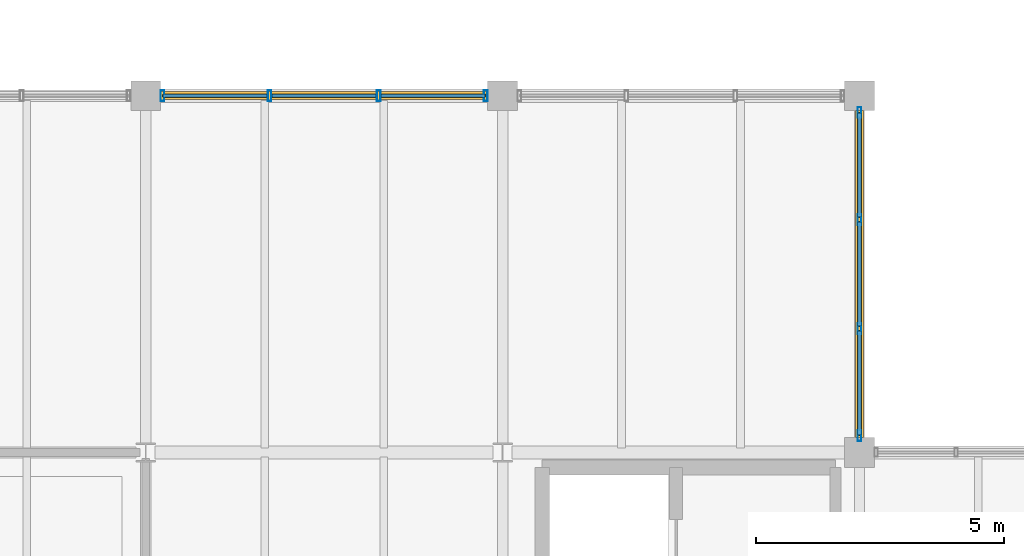
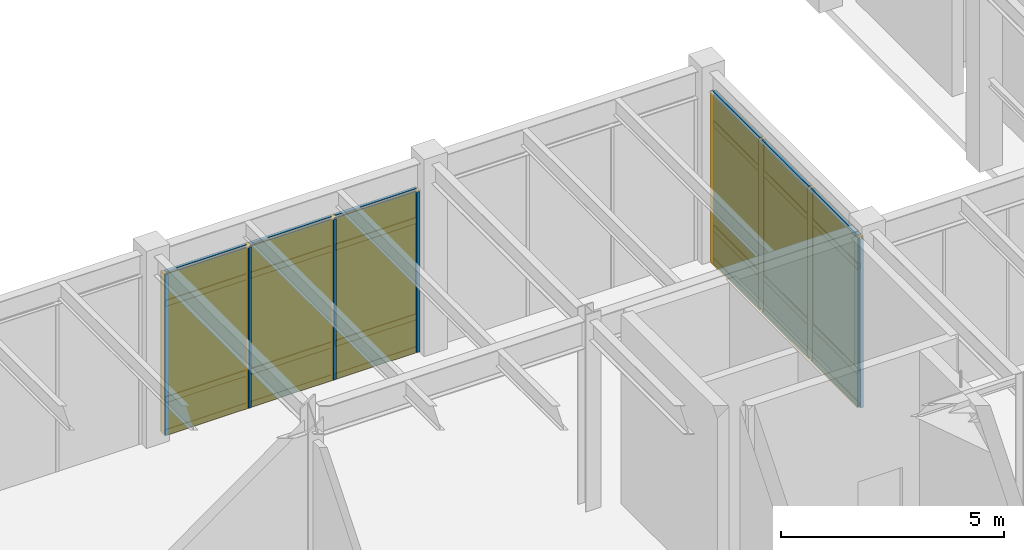
# One storey, part 61 of 97: 32 members, 12 plates, 2 curtain walls.
"""IFC4 building model written with IfcOpenShell, lengths in metres."""

from ifc_helpers import new_model, si_unit, direction, frame, origin, origin_2d, place, context, subcontext, project, spatial, rectangle, hollow_rectangle, extrude, material, layer, layer_set, material_profile, profile_set, type_object, element, aggregate, save


model = new_model("IFC4")

# Units and contexts
model_context = context("Model", 3, precision=1e-05, world=origin(), true_north=direction((0.0, 1.0)))
body_context = subcontext(model_context, "Body", "Model", "MODEL_VIEW")
ifc_project = project(units=[si_unit("LENGTHUNIT", "METRE"), si_unit("AREAUNIT", "SQUARE_METRE"), si_unit("VOLUMEUNIT", "CUBIC_METRE"), si_unit("PLANEANGLEUNIT", "RADIAN"), si_unit("MASSUNIT", "GRAM", prefix="KILO")], contexts=[model_context])

# Member
ifc_material_1 = material(Name="Anodized Aluminium 6063-T6", Category="aluminium")
ifc_material_profile_1 = material_profile(ifc_material_1, hollow_rectangle(XDim=0.074951171875, YDim=0.219970703125, WallThickness=0.0048828125, at=origin_2d()), Name="ALU 75x220x5")
ifc_profile_set_1 = profile_set([ifc_material_profile_1], Name="Anodized Aluminium 6063-T6")
member_type_1 = type_object("IfcMemberType", Name="CWM-75X180", PredefinedType="MULLION", material=ifc_profile_set_1)
site_placement = place(None, origin())
building_placement = place(site_placement, origin())
storey_placement = place(building_placement, origin())
member_1_placement = place(storey_placement, frame((101.139892578125, 57.60009765625, 0.02001953125), z_axis=(0.0, 0.0, 1.0), x_axis=(1.0, 0.0, 0.0)))
member_1 = element("IfcMember", 1, at=member_1_placement, type_object=member_type_1, Name="Curtain wall mullion CW-L01-14-07-N-00", PredefinedType="MULLION", context=body_context, shape_type="SweptSolid", body=[
    extrude(hollow_rectangle(XDim=0.074951171875, YDim=0.219970703125, WallThickness=0.0048828125, at=origin_2d()), origin(), (0.0, 0.0, 1.0), 4.39794921875),
])

member_2_placement = place(storey_placement, frame((103.300048828125, 57.60009765625, 0.02001953125), z_axis=(0.0, 0.0, 1.0), x_axis=(1.0, 0.0, 0.0)))
member_2 = element("IfcMember", 2, at=member_2_placement, type_object=member_type_1, Name="Curtain wall mullion CW-L01-14-07-N-01", PredefinedType="MULLION", context=body_context, shape_type="SweptSolid", body=[
    extrude(hollow_rectangle(XDim=0.074951171875, YDim=0.219970703125, WallThickness=0.0048828125, at=origin_2d()), origin(), (0.0, 0.0, 1.0), 4.39794921875),
])

member_3_placement = place(storey_placement, frame((105.5, 57.60009765625, 0.02001953125), z_axis=(0.0, 0.0, 1.0), x_axis=(1.0, 0.0, 0.0)))
member_3 = element("IfcMember", 3, at=member_3_placement, type_object=member_type_1, Name="Curtain wall mullion CW-L01-14-07-N-02", PredefinedType="MULLION", context=body_context, shape_type="SweptSolid", body=[
    extrude(hollow_rectangle(XDim=0.074951171875, YDim=0.219970703125, WallThickness=0.0048828125, at=origin_2d()), origin(), (0.0, 0.0, 1.0), 4.39794921875),
])

member_4_placement = place(storey_placement, frame((107.659912109375, 57.60009765625, 0.02001953125), z_axis=(0.0, 0.0, 1.0), x_axis=(1.0, 0.0, 0.0)))
member_4 = element("IfcMember", 4, at=member_4_placement, type_object=member_type_1, Name="Curtain wall mullion CW-L01-14-07-N-03", PredefinedType="MULLION", context=body_context, shape_type="SweptSolid", body=[
    extrude(hollow_rectangle(XDim=0.074951171875, YDim=0.219970703125, WallThickness=0.0048828125, at=origin_2d()), origin(), (0.0, 0.0, 1.0), 4.39794921875),
])

member_5_placement = place(storey_placement, frame((115.199951171875, 57.260009765625, 0.02001953125), z_axis=(0.0, 0.0, 1.0), x_axis=(1.0, 0.0, 0.0)))
member_5 = element("IfcMember", 5, at=member_5_placement, type_object=member_type_1, Name="Curtain wall mullion CW-L01-15-07-E-00", PredefinedType="MULLION", context=body_context, shape_type="SweptSolid", body=[
    extrude(hollow_rectangle(XDim=0.074951171875, YDim=0.219970703125, WallThickness=0.0048828125, at=origin_2d()), origin(), (0.0, 0.0, 1.0), 4.626953125),
])

member_6_placement = place(storey_placement, frame((115.199951171875, 55.10009765625, 0.02001953125), z_axis=(0.0, 0.0, 1.0), x_axis=(1.0, 0.0, 0.0)))
member_6 = element("IfcMember", 6, at=member_6_placement, type_object=member_type_1, Name="Curtain wall mullion CW-L01-15-07-E-01", PredefinedType="MULLION", context=body_context, shape_type="SweptSolid", body=[
    extrude(hollow_rectangle(XDim=0.074951171875, YDim=0.219970703125, WallThickness=0.0048828125, at=origin_2d()), origin(), (0.0, 0.0, 1.0), 4.626953125),
])

member_7_placement = place(storey_placement, frame((115.199951171875, 52.89990234375, 0.02001953125), z_axis=(0.0, 0.0, 1.0), x_axis=(1.0, 0.0, 0.0)))
member_7 = element("IfcMember", 7, at=member_7_placement, type_object=member_type_1, Name="Curtain wall mullion CW-L01-15-07-E-02", PredefinedType="MULLION", context=body_context, shape_type="SweptSolid", body=[
    extrude(hollow_rectangle(XDim=0.074951171875, YDim=0.219970703125, WallThickness=0.0048828125, at=origin_2d()), origin(), (0.0, 0.0, 1.0), 4.626953125),
])

member_8_placement = place(storey_placement, frame((115.199951171875, 50.739990234375, 0.02001953125), z_axis=(0.0, 0.0, 1.0), x_axis=(1.0, 0.0, 0.0)))
member_8 = element("IfcMember", 8, at=member_8_placement, type_object=member_type_1, Name="Curtain wall mullion CW-L01-15-07-E-03", PredefinedType="MULLION", context=body_context, shape_type="SweptSolid", body=[
    extrude(hollow_rectangle(XDim=0.074951171875, YDim=0.219970703125, WallThickness=0.0048828125, at=origin_2d()), origin(), (0.0, 0.0, 1.0), 4.626953125),
])

ifc_material_profile_2 = material_profile(ifc_material_1, hollow_rectangle(XDim=0.074951171875, YDim=0.159912109375, WallThickness=0.00390625, at=origin_2d()), Name="ALU 75x160x4")
ifc_profile_set_2 = profile_set([ifc_material_profile_2], Name="Anodized Aluminium 6063-T6")
member_type_2 = type_object("IfcMemberType", Name="CWT-75X150", PredefinedType="USERDEFINED", material=ifc_profile_set_2)
member_9_placement = place(storey_placement, frame((101.14990234375, 57.60009765625, 0.050048828125), z_axis=(1.0, 0.0, 0.0), x_axis=(0.0, 1.0, 0.0)))
member_9 = element("IfcMember", 9, at=member_9_placement, type_object=member_type_2, Name="Curtain wall transom CW-L01-14-07-N-1.01", ObjectType="TRANSOM", PredefinedType="USERDEFINED", context=body_context, shape_type="SweptSolid", body=[
    extrude(hollow_rectangle(XDim=0.074951171875, YDim=0.159912109375, WallThickness=0.00390625, at=origin_2d()), origin(), (0.0, 0.0, 1.0), 2.10009765625),
])

member_10_placement = place(storey_placement, frame((103.35009765625, 57.60009765625, 0.050048828125), z_axis=(1.0, 0.0, 0.0), x_axis=(0.0, 1.0, 0.0)))
member_10 = element("IfcMember", 10, at=member_10_placement, type_object=member_type_2, Name="Curtain wall transom CW-L01-14-07-N-1.02", ObjectType="TRANSOM", PredefinedType="USERDEFINED", context=body_context, shape_type="SweptSolid", body=[
    extrude(hollow_rectangle(XDim=0.074951171875, YDim=0.159912109375, WallThickness=0.00390625, at=origin_2d()), origin(), (0.0, 0.0, 1.0), 2.099853515625),
])

member_11_placement = place(storey_placement, frame((105.550048828125, 57.60009765625, 0.050048828125), z_axis=(1.0, 0.0, 0.0), x_axis=(0.0, 1.0, 0.0)))
member_11 = element("IfcMember", 11, at=member_11_placement, type_object=member_type_2, Name="Curtain wall transom CW-L01-14-07-N-1.03", ObjectType="TRANSOM", PredefinedType="USERDEFINED", context=body_context, shape_type="SweptSolid", body=[
    extrude(hollow_rectangle(XDim=0.074951171875, YDim=0.159912109375, WallThickness=0.00390625, at=origin_2d()), origin(), (0.0, 0.0, 1.0), 2.099853515625),
])

member_12_placement = place(storey_placement, frame((101.14990234375, 57.60009765625, 0.949951171875), z_axis=(1.0, 0.0, 0.0), x_axis=(0.0, 1.0, 0.0)))
member_12 = element("IfcMember", 12, at=member_12_placement, type_object=member_type_2, Name="Curtain wall transom CW-L01-14-07-N-2.01", ObjectType="TRANSOM", PredefinedType="USERDEFINED", context=body_context, shape_type="SweptSolid", body=[
    extrude(hollow_rectangle(XDim=0.074951171875, YDim=0.159912109375, WallThickness=0.00390625, at=origin_2d()), origin(), (0.0, 0.0, 1.0), 2.10009765625),
])

member_13_placement = place(storey_placement, frame((103.35009765625, 57.60009765625, 0.949951171875), z_axis=(1.0, 0.0, 0.0), x_axis=(0.0, 1.0, 0.0)))
member_13 = element("IfcMember", 13, at=member_13_placement, type_object=member_type_2, Name="Curtain wall transom CW-L01-14-07-N-2.02", ObjectType="TRANSOM", PredefinedType="USERDEFINED", context=body_context, shape_type="SweptSolid", body=[
    extrude(hollow_rectangle(XDim=0.074951171875, YDim=0.159912109375, WallThickness=0.00390625, at=origin_2d()), origin(), (0.0, 0.0, 1.0), 2.099853515625),
])

member_14_placement = place(storey_placement, frame((105.550048828125, 57.60009765625, 0.949951171875), z_axis=(1.0, 0.0, 0.0), x_axis=(0.0, 1.0, 0.0)))
member_14 = element("IfcMember", 14, at=member_14_placement, type_object=member_type_2, Name="Curtain wall transom CW-L01-14-07-N-2.03", ObjectType="TRANSOM", PredefinedType="USERDEFINED", context=body_context, shape_type="SweptSolid", body=[
    extrude(hollow_rectangle(XDim=0.074951171875, YDim=0.159912109375, WallThickness=0.00390625, at=origin_2d()), origin(), (0.0, 0.0, 1.0), 2.099853515625),
])

member_15_placement = place(storey_placement, frame((101.14990234375, 57.60009765625, 3.587890625), z_axis=(1.0, 0.0, 0.0), x_axis=(0.0, 1.0, 0.0)))
member_15 = element("IfcMember", 15, at=member_15_placement, type_object=member_type_2, Name="Curtain wall transom CW-L01-14-07-N-3.01", ObjectType="TRANSOM", PredefinedType="USERDEFINED", context=body_context, shape_type="SweptSolid", body=[
    extrude(hollow_rectangle(XDim=0.074951171875, YDim=0.159912109375, WallThickness=0.00390625, at=origin_2d()), origin(), (0.0, 0.0, 1.0), 2.10009765625),
])

member_16_placement = place(storey_placement, frame((103.35009765625, 57.60009765625, 3.587890625), z_axis=(1.0, 0.0, 0.0), x_axis=(0.0, 1.0, 0.0)))
member_16 = element("IfcMember", 16, at=member_16_placement, type_object=member_type_2, Name="Curtain wall transom CW-L01-14-07-N-3.02", ObjectType="TRANSOM", PredefinedType="USERDEFINED", context=body_context, shape_type="SweptSolid", body=[
    extrude(hollow_rectangle(XDim=0.074951171875, YDim=0.159912109375, WallThickness=0.00390625, at=origin_2d()), origin(), (0.0, 0.0, 1.0), 2.099853515625),
])

member_17_placement = place(storey_placement, frame((105.550048828125, 57.60009765625, 3.587890625), z_axis=(1.0, 0.0, 0.0), x_axis=(0.0, 1.0, 0.0)))
member_17 = element("IfcMember", 17, at=member_17_placement, type_object=member_type_2, Name="Curtain wall transom CW-L01-14-07-N-3.03", ObjectType="TRANSOM", PredefinedType="USERDEFINED", context=body_context, shape_type="SweptSolid", body=[
    extrude(hollow_rectangle(XDim=0.074951171875, YDim=0.159912109375, WallThickness=0.00390625, at=origin_2d()), origin(), (0.0, 0.0, 1.0), 2.099853515625),
])

member_18_placement = place(storey_placement, frame((101.14990234375, 57.60009765625, 4.387939453125), z_axis=(1.0, 0.0, 0.0), x_axis=(0.0, 1.0, 0.0)))
member_18 = element("IfcMember", 18, at=member_18_placement, type_object=member_type_2, Name="Curtain wall transom CW-L01-14-07-N-4.01", ObjectType="TRANSOM", PredefinedType="USERDEFINED", context=body_context, shape_type="SweptSolid", body=[
    extrude(hollow_rectangle(XDim=0.074951171875, YDim=0.159912109375, WallThickness=0.00390625, at=origin_2d()), origin(), (0.0, 0.0, 1.0), 2.10009765625),
])

member_19_placement = place(storey_placement, frame((103.35009765625, 57.60009765625, 4.387939453125), z_axis=(1.0, 0.0, 0.0), x_axis=(0.0, 1.0, 0.0)))
member_19 = element("IfcMember", 19, at=member_19_placement, type_object=member_type_2, Name="Curtain wall transom CW-L01-14-07-N-4.02", ObjectType="TRANSOM", PredefinedType="USERDEFINED", context=body_context, shape_type="SweptSolid", body=[
    extrude(hollow_rectangle(XDim=0.074951171875, YDim=0.159912109375, WallThickness=0.00390625, at=origin_2d()), origin(), (0.0, 0.0, 1.0), 2.099853515625),
])

member_20_placement = place(storey_placement, frame((105.550048828125, 57.60009765625, 4.387939453125), z_axis=(1.0, 0.0, 0.0), x_axis=(0.0, 1.0, 0.0)))
member_20 = element("IfcMember", 20, at=member_20_placement, type_object=member_type_2, Name="Curtain wall transom CW-L01-14-07-N-4.03", ObjectType="TRANSOM", PredefinedType="USERDEFINED", context=body_context, shape_type="SweptSolid", body=[
    extrude(hollow_rectangle(XDim=0.074951171875, YDim=0.159912109375, WallThickness=0.00390625, at=origin_2d()), origin(), (0.0, 0.0, 1.0), 2.099853515625),
])

member_21_placement = place(storey_placement, frame((115.199951171875, 57.25, 0.050048828125), z_axis=(0.0, -1.0, 0.0), x_axis=(1.0, 0.0, 0.0)))
member_21 = element("IfcMember", 21, at=member_21_placement, type_object=member_type_2, Name="Curtain wall transom CW-L01-15-07-E-1.01", ObjectType="TRANSOM", PredefinedType="USERDEFINED", context=body_context, shape_type="SweptSolid", body=[
    extrude(hollow_rectangle(XDim=0.074951171875, YDim=0.159912109375, WallThickness=0.00390625, at=origin_2d()), origin(), (0.0, 0.0, 1.0), 2.10009765625),
])

member_22_placement = place(storey_placement, frame((115.199951171875, 55.050048828125, 0.050048828125), z_axis=(0.0, -1.0, 0.0), x_axis=(1.0, 0.0, 0.0)))
member_22 = element("IfcMember", 22, at=member_22_placement, type_object=member_type_2, Name="Curtain wall transom CW-L01-15-07-E-1.02", ObjectType="TRANSOM", PredefinedType="USERDEFINED", context=body_context, shape_type="SweptSolid", body=[
    extrude(hollow_rectangle(XDim=0.074951171875, YDim=0.159912109375, WallThickness=0.00390625, at=origin_2d()), origin(), (0.0, 0.0, 1.0), 2.10009765625),
])

member_23_placement = place(storey_placement, frame((115.199951171875, 52.85009765625, 0.050048828125), z_axis=(0.0, -1.0, 0.0), x_axis=(1.0, 0.0, 0.0)))
member_23 = element("IfcMember", 23, at=member_23_placement, type_object=member_type_2, Name="Curtain wall transom CW-L01-15-07-E-1.03", ObjectType="TRANSOM", PredefinedType="USERDEFINED", context=body_context, shape_type="SweptSolid", body=[
    extrude(hollow_rectangle(XDim=0.074951171875, YDim=0.159912109375, WallThickness=0.00390625, at=origin_2d()), origin(), (0.0, 0.0, 1.0), 2.10009765625),
])

member_24_placement = place(storey_placement, frame((115.199951171875, 57.25, 0.949951171875), z_axis=(0.0, -1.0, 0.0), x_axis=(1.0, 0.0, 0.0)))
member_24 = element("IfcMember", 24, at=member_24_placement, type_object=member_type_2, Name="Curtain wall transom CW-L01-15-07-E-2.01", ObjectType="TRANSOM", PredefinedType="USERDEFINED", context=body_context, shape_type="SweptSolid", body=[
    extrude(hollow_rectangle(XDim=0.074951171875, YDim=0.159912109375, WallThickness=0.00390625, at=origin_2d()), origin(), (0.0, 0.0, 1.0), 2.10009765625),
])

member_25_placement = place(storey_placement, frame((115.199951171875, 55.050048828125, 0.949951171875), z_axis=(0.0, -1.0, 0.0), x_axis=(1.0, 0.0, 0.0)))
member_25 = element("IfcMember", 25, at=member_25_placement, type_object=member_type_2, Name="Curtain wall transom CW-L01-15-07-E-2.02", ObjectType="TRANSOM", PredefinedType="USERDEFINED", context=body_context, shape_type="SweptSolid", body=[
    extrude(hollow_rectangle(XDim=0.074951171875, YDim=0.159912109375, WallThickness=0.00390625, at=origin_2d()), origin(), (0.0, 0.0, 1.0), 2.10009765625),
])

member_26_placement = place(storey_placement, frame((115.199951171875, 52.85009765625, 0.949951171875), z_axis=(0.0, -1.0, 0.0), x_axis=(1.0, 0.0, 0.0)))
member_26 = element("IfcMember", 26, at=member_26_placement, type_object=member_type_2, Name="Curtain wall transom CW-L01-15-07-E-2.03", ObjectType="TRANSOM", PredefinedType="USERDEFINED", context=body_context, shape_type="SweptSolid", body=[
    extrude(hollow_rectangle(XDim=0.074951171875, YDim=0.159912109375, WallThickness=0.00390625, at=origin_2d()), origin(), (0.0, 0.0, 1.0), 2.10009765625),
])

member_27_placement = place(storey_placement, frame((115.199951171875, 57.25, 3.81689453125), z_axis=(0.0, -1.0, 0.0), x_axis=(1.0, 0.0, 0.0)))
member_27 = element("IfcMember", 27, at=member_27_placement, type_object=member_type_2, Name="Curtain wall transom CW-L01-15-07-E-3.01", ObjectType="TRANSOM", PredefinedType="USERDEFINED", context=body_context, shape_type="SweptSolid", body=[
    extrude(hollow_rectangle(XDim=0.074951171875, YDim=0.159912109375, WallThickness=0.00390625, at=origin_2d()), origin(), (0.0, 0.0, 1.0), 2.10009765625),
])

member_28_placement = place(storey_placement, frame((115.199951171875, 55.050048828125, 3.81689453125), z_axis=(0.0, -1.0, 0.0), x_axis=(1.0, 0.0, 0.0)))
member_28 = element("IfcMember", 28, at=member_28_placement, type_object=member_type_2, Name="Curtain wall transom CW-L01-15-07-E-3.02", ObjectType="TRANSOM", PredefinedType="USERDEFINED", context=body_context, shape_type="SweptSolid", body=[
    extrude(hollow_rectangle(XDim=0.074951171875, YDim=0.159912109375, WallThickness=0.00390625, at=origin_2d()), origin(), (0.0, 0.0, 1.0), 2.10009765625),
])

member_29_placement = place(storey_placement, frame((115.199951171875, 52.85009765625, 3.81689453125), z_axis=(0.0, -1.0, 0.0), x_axis=(1.0, 0.0, 0.0)))
member_29 = element("IfcMember", 29, at=member_29_placement, type_object=member_type_2, Name="Curtain wall transom CW-L01-15-07-E-3.03", ObjectType="TRANSOM", PredefinedType="USERDEFINED", context=body_context, shape_type="SweptSolid", body=[
    extrude(hollow_rectangle(XDim=0.074951171875, YDim=0.159912109375, WallThickness=0.00390625, at=origin_2d()), origin(), (0.0, 0.0, 1.0), 2.10009765625),
])

member_30_placement = place(storey_placement, frame((115.199951171875, 57.25, 4.616943359375), z_axis=(0.0, -1.0, 0.0), x_axis=(1.0, 0.0, 0.0)))
member_30 = element("IfcMember", 30, at=member_30_placement, type_object=member_type_2, Name="Curtain wall transom CW-L01-15-07-E-4.01", ObjectType="TRANSOM", PredefinedType="USERDEFINED", context=body_context, shape_type="SweptSolid", body=[
    extrude(hollow_rectangle(XDim=0.074951171875, YDim=0.159912109375, WallThickness=0.00390625, at=origin_2d()), origin(), (0.0, 0.0, 1.0), 2.10009765625),
])

member_31_placement = place(storey_placement, frame((115.199951171875, 55.050048828125, 4.616943359375), z_axis=(0.0, -1.0, 0.0), x_axis=(1.0, 0.0, 0.0)))
member_31 = element("IfcMember", 31, at=member_31_placement, type_object=member_type_2, Name="Curtain wall transom CW-L01-15-07-E-4.02", ObjectType="TRANSOM", PredefinedType="USERDEFINED", context=body_context, shape_type="SweptSolid", body=[
    extrude(hollow_rectangle(XDim=0.074951171875, YDim=0.159912109375, WallThickness=0.00390625, at=origin_2d()), origin(), (0.0, 0.0, 1.0), 2.10009765625),
])

member_32_placement = place(storey_placement, frame((115.199951171875, 52.85009765625, 4.616943359375), z_axis=(0.0, -1.0, 0.0), x_axis=(1.0, 0.0, 0.0)))
member_32 = element("IfcMember", 32, at=member_32_placement, type_object=member_type_2, Name="Curtain wall transom CW-L01-15-07-E-4.03", ObjectType="TRANSOM", PredefinedType="USERDEFINED", context=body_context, shape_type="SweptSolid", body=[
    extrude(hollow_rectangle(XDim=0.074951171875, YDim=0.159912109375, WallThickness=0.00390625, at=origin_2d()), origin(), (0.0, 0.0, 1.0), 2.10009765625),
])

# Plate
ifc_material_2 = material(Name="Acoustic Laminated Low-E Glazing", Category="glass")
ifc_layer_1 = layer(ifc_material_2, 0.0439453125)
ifc_layer_set_1 = layer_set([ifc_layer_1], Name="Acoustic Laminated Low-E Glazing")
plate_type_1 = type_object("IfcPlateType", Name="CWP-IGU-44", PredefinedType="CURTAIN_PANEL", material=ifc_layer_set_1)
plate_1_placement = place(storey_placement, frame((102.199951171875, 57.60009765625, 0.990234375), z_axis=(0.0, 0.0, 1.0), x_axis=(1.0, 0.0, 0.0)))
plate_1 = element("IfcPlate", 33, at=plate_1_placement, type_object=plate_type_1, Name="Curtain wall vision glazing CW-L01-14-07-N-01", PredefinedType="CURTAIN_PANEL", context=body_context, shape_type="SweptSolid", body=[
    extrude(rectangle(XDim=2.110107421875, YDim=0.0400390625, at=origin_2d()), origin(), (0.0, 0.0, 1.0), 3.387939453125),
])

plate_2_placement = place(storey_placement, frame((104.39990234375, 57.60009765625, 0.990234375), z_axis=(0.0, 0.0, 1.0), x_axis=(1.0, 0.0, 0.0)))
plate_2 = element("IfcPlate", 34, at=plate_2_placement, type_object=plate_type_1, Name="Curtain wall vision glazing CW-L01-14-07-N-02", PredefinedType="CURTAIN_PANEL", context=body_context, shape_type="SweptSolid", body=[
    extrude(rectangle(XDim=2.110107421875, YDim=0.0400390625, at=origin_2d()), origin(), (0.0, 0.0, 1.0), 3.387939453125),
])

plate_3_placement = place(storey_placement, frame((106.60009765625, 57.60009765625, 0.990234375), z_axis=(0.0, 0.0, 1.0), x_axis=(1.0, 0.0, 0.0)))
plate_3 = element("IfcPlate", 35, at=plate_3_placement, type_object=plate_type_1, Name="Curtain wall vision glazing CW-L01-14-07-N-03", PredefinedType="CURTAIN_PANEL", context=body_context, shape_type="SweptSolid", body=[
    extrude(rectangle(XDim=2.110107421875, YDim=0.0400390625, at=origin_2d()), origin(), (0.0, 0.0, 1.0), 3.387939453125),
])

plate_4_placement = place(storey_placement, frame((115.199951171875, 56.199951171875, 0.990234375), z_axis=(0.0, 0.0, 1.0), x_axis=(0.0, -1.0, 0.0)))
plate_4 = element("IfcPlate", 36, at=plate_4_placement, type_object=plate_type_1, Name="Curtain wall vision glazing CW-L01-15-07-E-01", PredefinedType="CURTAIN_PANEL", context=body_context, shape_type="SweptSolid", body=[
    extrude(rectangle(XDim=2.110107421875, YDim=0.0400390625, at=origin_2d()), origin(), (0.0, 0.0, 1.0), 3.616943359375),
])

plate_5_placement = place(storey_placement, frame((115.199951171875, 54.0, 0.990234375), z_axis=(0.0, 0.0, 1.0), x_axis=(0.0, -1.0, 0.0)))
plate_5 = element("IfcPlate", 37, at=plate_5_placement, type_object=plate_type_1, Name="Curtain wall vision glazing CW-L01-15-07-E-02", PredefinedType="CURTAIN_PANEL", context=body_context, shape_type="SweptSolid", body=[
    extrude(rectangle(XDim=2.110107421875, YDim=0.0400390625, at=origin_2d()), origin(), (0.0, 0.0, 1.0), 3.616943359375),
])

plate_6_placement = place(storey_placement, frame((115.199951171875, 51.800048828125, 0.990234375), z_axis=(0.0, 0.0, 1.0), x_axis=(0.0, -1.0, 0.0)))
plate_6 = element("IfcPlate", 38, at=plate_6_placement, type_object=plate_type_1, Name="Curtain wall vision glazing CW-L01-15-07-E-03", PredefinedType="CURTAIN_PANEL", context=body_context, shape_type="SweptSolid", body=[
    extrude(rectangle(XDim=2.110107421875, YDim=0.0400390625, at=origin_2d()), origin(), (0.0, 0.0, 1.0), 3.616943359375),
])

ifc_material_3 = material(Name="Insulated Stone-Composite Spandrel", Category="masonry")
ifc_layer_2 = layer(ifc_material_3, 0.068115234375)
ifc_layer_set_2 = layer_set([ifc_layer_2], Name="Insulated Stone-Composite Spandrel")
plate_type_2 = type_object("IfcPlateType", Name="CWP-SPN-68", PredefinedType="CURTAIN_PANEL", material=ifc_layer_set_2)
plate_7_placement = place(storey_placement, frame((102.199951171875, 57.60009765625, 0.080078125), z_axis=(0.0, 0.0, 1.0), x_axis=(1.0, 0.0, 0.0)))
plate_7 = element("IfcPlate", 39, at=plate_7_placement, type_object=plate_type_2, Name="Curtain wall spandrel panel CW-L01-14-07-N-01", PredefinedType="CURTAIN_PANEL", context=body_context, shape_type="SweptSolid", body=[
    extrude(rectangle(XDim=2.110107421875, YDim=0.06005859375, at=origin_2d()), origin(), (0.0, 0.0, 1.0), 0.840087890625),
])

plate_8_placement = place(storey_placement, frame((104.39990234375, 57.60009765625, 0.080078125), z_axis=(0.0, 0.0, 1.0), x_axis=(1.0, 0.0, 0.0)))
plate_8 = element("IfcPlate", 40, at=plate_8_placement, type_object=plate_type_2, Name="Curtain wall spandrel panel CW-L01-14-07-N-02", PredefinedType="CURTAIN_PANEL", context=body_context, shape_type="SweptSolid", body=[
    extrude(rectangle(XDim=2.110107421875, YDim=0.06005859375, at=origin_2d()), origin(), (0.0, 0.0, 1.0), 0.840087890625),
])

plate_9_placement = place(storey_placement, frame((106.60009765625, 57.60009765625, 0.080078125), z_axis=(0.0, 0.0, 1.0), x_axis=(1.0, 0.0, 0.0)))
plate_9 = element("IfcPlate", 41, at=plate_9_placement, type_object=plate_type_2, Name="Curtain wall spandrel panel CW-L01-14-07-N-03", PredefinedType="CURTAIN_PANEL", context=body_context, shape_type="SweptSolid", body=[
    extrude(rectangle(XDim=2.110107421875, YDim=0.06005859375, at=origin_2d()), origin(), (0.0, 0.0, 1.0), 0.840087890625),
])

plate_10_placement = place(storey_placement, frame((115.199951171875, 56.199951171875, 0.080078125), z_axis=(0.0, 0.0, 1.0), x_axis=(0.0, -1.0, 0.0)))
plate_10 = element("IfcPlate", 42, at=plate_10_placement, type_object=plate_type_2, Name="Curtain wall spandrel panel CW-L01-15-07-E-01", PredefinedType="CURTAIN_PANEL", context=body_context, shape_type="SweptSolid", body=[
    extrude(rectangle(XDim=2.110107421875, YDim=0.06005859375, at=origin_2d()), origin(), (0.0, 0.0, 1.0), 0.840087890625),
])

plate_11_placement = place(storey_placement, frame((115.199951171875, 54.0, 0.080078125), z_axis=(0.0, 0.0, 1.0), x_axis=(0.0, -1.0, 0.0)))
plate_11 = element("IfcPlate", 43, at=plate_11_placement, type_object=plate_type_2, Name="Curtain wall spandrel panel CW-L01-15-07-E-02", PredefinedType="CURTAIN_PANEL", context=body_context, shape_type="SweptSolid", body=[
    extrude(rectangle(XDim=2.110107421875, YDim=0.06005859375, at=origin_2d()), origin(), (0.0, 0.0, 1.0), 0.840087890625),
])

plate_12_placement = place(storey_placement, frame((115.199951171875, 51.800048828125, 0.080078125), z_axis=(0.0, 0.0, 1.0), x_axis=(0.0, -1.0, 0.0)))
plate_12 = element("IfcPlate", 44, at=plate_12_placement, type_object=plate_type_2, Name="Curtain wall spandrel panel CW-L01-15-07-E-03", PredefinedType="CURTAIN_PANEL", context=body_context, shape_type="SweptSolid", body=[
    extrude(rectangle(XDim=2.110107421875, YDim=0.06005859375, at=origin_2d()), origin(), (0.0, 0.0, 1.0), 0.840087890625),
])

# Site, building, storey
site = spatial("IfcSite", under=ifc_project, at=site_placement, CompositionType="ELEMENT")
building = spatial("IfcBuilding", under=site, at=building_placement, Name="Sillqori Civic Hall", CompositionType="ELEMENT")
storey = spatial("IfcBuildingStorey", under=building, at=storey_placement, Name="L01", CompositionType="ELEMENT", Elevation=0.0)

# Curtain wall
ifc_material_4 = material(Name="Anodized Aluminium Curtain Wall System", Category="aluminium")
curtain_wall_type = type_object("IfcCurtainWallType", Name="CW-SF-480", PredefinedType="NOTDEFINED", material=ifc_material_4)
curtain_wall_1_placement = place(storey_placement, frame((104.39990234375, 57.60009765625, 0.0), z_axis=(0.0, 0.0, 1.0), x_axis=(1.0, 0.0, 0.0)))
curtain_wall_1 = element("IfcCurtainWall", 45, at=curtain_wall_1_placement, inside=storey, type_object=curtain_wall_type, Name="L01 unitised curtain wall CW-L01-14-07-N", PredefinedType="NOTDEFINED", context=body_context, shape_type="SweptSolid", body=[
    extrude(rectangle(XDim=6.60009765625, YDim=0.159912109375, at=origin_2d()), origin(), (0.0, 0.0, 1.0), 4.43798828125),
])

aggregate(curtain_wall_1, [member_1, member_2, member_3, member_4, member_9, member_10, member_11, member_12, member_13, member_14, member_15, member_16, member_17, member_18, member_19, member_20, plate_7, plate_1, plate_8, plate_2, plate_9, plate_3])

curtain_wall_2_placement = place(storey_placement, frame((115.199951171875, 54.0, 0.0), z_axis=(0.0, 0.0, 1.0), x_axis=(0.0, -1.0, 0.0)))
curtain_wall_2 = element("IfcCurtainWall", 46, at=curtain_wall_2_placement, inside=storey, type_object=curtain_wall_type, Name="L01 unitised curtain wall CW-L01-15-07-E", PredefinedType="NOTDEFINED", context=body_context, shape_type="SweptSolid", body=[
    extrude(rectangle(XDim=6.60009765625, YDim=0.159912109375, at=origin_2d()), origin(), (0.0, 0.0, 1.0), 4.6669921875),
])

aggregate(curtain_wall_2, [member_5, member_6, member_7, member_8, member_21, member_22, member_23, member_24, member_25, member_26, member_27, member_28, member_29, member_30, member_31, member_32, plate_10, plate_4, plate_11, plate_5, plate_12, plate_6])

save(model, "model.ifc")
